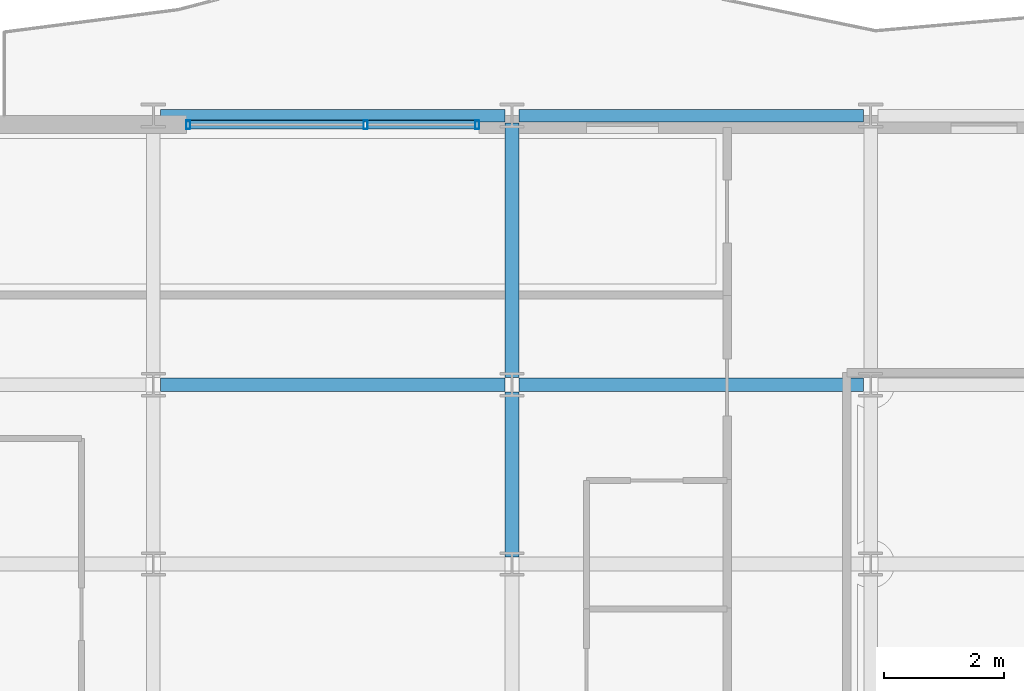
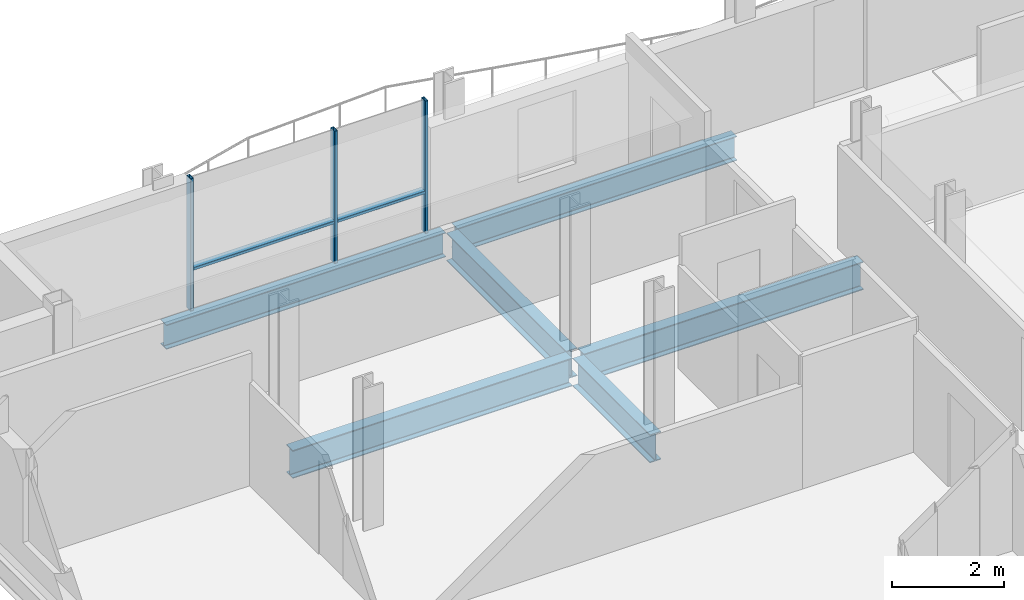
# One storey, part 9 of 38: 6 beams, 5 members, 1 element without a shape of its own.
"""IFC4 building model written with IfcOpenShell, lengths in metres."""

import ifcopenshell
import ifcopenshell.guid

model = None  # the IFC model being written
_history = None  # IfcOwnerHistory: only IFC2X3 demands one
_inside = {}  # id of a spatial element -> (the spatial element, [elements in it])
_under = {}  # id of a project, library or spatial element -> (it, [spatial elements below it])
_declared = {}  # id of a project -> (the project, [libraries it declares])
_typed = {}  # id of a type object -> (the type object, [elements of that type])
_made_of = {}  # id of a material, layer set ... -> (it, [elements and type objects made of it])


def new_model(schema):
    """Start an empty IFC model of exactly this schema.

    Asked for "IFC4X3", IfcOpenShell would pick the latest addendum, in which some entities
    have other attributes; the version numbers below select the first issue.
    IFC2X3 requires an IfcOwnerHistory on every rooted entity: one is made here for all.
    """
    global model, _history
    if schema == "IFC4X3":
        model = ifcopenshell.file(schema_version=(4, 3, 0, 0))
    else:
        model = ifcopenshell.file(schema=schema)
    _inside.clear()
    _under.clear()
    _declared.clear()
    _typed.clear()
    _made_of.clear()
    _history = None
    if model.schema == "IFC2X3":
        org = make("IfcOrganization", Name="unknown")
        user = make(
            "IfcPersonAndOrganization",
            ThePerson=make("IfcPerson", FamilyName="unknown"),
            TheOrganization=org,
        )
        app = make(
            "IfcApplication",
            ApplicationDeveloper=org,
            Version="unknown",
            ApplicationFullName="unknown",
            ApplicationIdentifier="unknown",
        )
        _history = make(
            "IfcOwnerHistory",
            OwningUser=user,
            OwningApplication=app,
            ChangeAction="ADDED",
            CreationDate=0,
        )
    return model


def make(cls, **values):
    """One entity of the class cls with the attributes given. An attribute that is None is left unset."""
    return model.create_entity(
        cls, **{name: value for name, value in values.items() if value is not None}
    )


def rooted(cls, **values):
    """An entity with a GlobalId (a new one), such as an element, a storey or a relation."""
    return make(cls, GlobalId=ifcopenshell.guid.new(), OwnerHistory=_history, **values)


def si_unit(unit_type, name, prefix=None):
    """IfcSIUnit, for example si_unit("LENGTHUNIT", "METRE", prefix="MILLI")."""
    return make("IfcSIUnit", UnitType=unit_type, Prefix=prefix, Name=name)


def assignment(units):
    """IfcUnitAssignment: the units of a project."""
    return None if units is None else make("IfcUnitAssignment", Units=units)


def point(xyz):
    """IfcCartesianPoint."""
    return None if xyz is None else make("IfcCartesianPoint", Coordinates=xyz)


def direction(xyz):
    """IfcDirection."""
    return None if xyz is None else make("IfcDirection", DirectionRatios=xyz)


def frame(location, z_axis=None, x_axis=None):
    """IfcAxis2Placement3D, a coordinate frame: its origin and axes. An axis left out is left unset."""
    return make(
        "IfcAxis2Placement3D",
        Location=point(location),
        Axis=direction(z_axis),
        RefDirection=direction(x_axis),
    )


def frame_2d(location, x_axis=None):
    """IfcAxis2Placement2D, a coordinate frame in the plane: its origin and x axis."""
    return make(
        "IfcAxis2Placement2D", Location=point(location), RefDirection=direction(x_axis)
    )


def origin():
    """The frame at (0, 0, 0) with its axes left unset."""
    return frame((0.0, 0.0, 0.0))


def origin_2d():
    """The frame at (0, 0) in the plane with its x axis left unset."""
    return frame_2d((0.0, 0.0))


def place(relative_to, where):
    """IfcLocalPlacement: puts the frame where relative to a parent placement (None: the world)."""
    return make(
        "IfcLocalPlacement", PlacementRelTo=relative_to, RelativePlacement=where
    )


def context(
    kind, dimensions, precision=None, world=None, true_north=None, identifier=None
):
    """IfcGeometricRepresentationContext, for example the 3D "Model" context."""
    return make(
        "IfcGeometricRepresentationContext",
        ContextIdentifier=identifier,
        ContextType=kind,
        CoordinateSpaceDimension=dimensions,
        Precision=precision,
        WorldCoordinateSystem=world,
        TrueNorth=true_north,
    )


def subcontext(parent, identifier, kind, view, scale=None):
    """IfcGeometricRepresentationSubContext, for example "Body" below "Model"."""
    return make(
        "IfcGeometricRepresentationSubContext",
        ContextIdentifier=identifier,
        ContextType=kind,
        ParentContext=parent,
        TargetScale=scale,
        TargetView=view,
    )


def project(units=None, contexts=None):
    """IfcProject with its units and contexts."""
    return rooted(
        "IfcProject",
        Name="project",
        RepresentationContexts=contexts,
        UnitsInContext=assignment(units),
    )


def spatial(cls, under=None, at=None, **own):
    """A site, building, storey or space (cls), placed at a placement, below another one or the project."""
    s = rooted(cls, ObjectPlacement=at, **own)
    if under is not None:
        _under.setdefault(under.id(), (under, []))[1].append(s)
    return s


def profile(cls, at=None, kind="AREA", **sizes):
    """A parametric profile (cls). Its sizes go by their IFC names, for example OverallWidth=200.0."""
    return make(cls, ProfileType=kind, Position=at, **sizes)


def hollow_rectangle(**sizes):
    """IfcRectangleHollowProfileDef."""
    return profile("IfcRectangleHollowProfileDef", **sizes)


def i_section(**sizes):
    """IfcIShapeProfileDef."""
    return profile("IfcIShapeProfileDef", **sizes)


def extrude(swept, where, along, depth):
    """IfcExtrudedAreaSolid: the profile swept, set in the frame where, extruded along a direction by depth."""
    return make(
        "IfcExtrudedAreaSolid",
        SweptArea=swept,
        Position=where,
        ExtrudedDirection=direction(along),
        Depth=depth,
    )


def shape(context_of_items, identifier, shape_type, items):
    """IfcShapeRepresentation: the items that make up one representation, for example the "Body"."""
    return make(
        "IfcShapeRepresentation",
        ContextOfItems=context_of_items,
        RepresentationIdentifier=identifier,
        RepresentationType=shape_type,
        Items=items,
    )


def material(Name=None, Category=None):
    """IfcMaterial."""
    return make("IfcMaterial", Name=Name, Category=Category)


def layer(
    of_material, thickness, ventilated=None, Name=None, Category=None, Priority=None
):
    """IfcMaterialLayer: one layer of a wall or slab, of a material (None: an air gap)."""
    return make(
        "IfcMaterialLayer",
        Material=of_material,
        LayerThickness=thickness,
        IsVentilated=ventilated,
        Name=Name,
        Category=Category,
        Priority=Priority,
    )


def layer_set(layers, Name=None):
    """IfcMaterialLayerSet."""
    return make("IfcMaterialLayerSet", MaterialLayers=layers, LayerSetName=Name)


def material_profile(
    of_material, cross_section, Name=None, Category=None, Priority=None
):
    """IfcMaterialProfile: a cross section and its material."""
    return make(
        "IfcMaterialProfile",
        Name=Name,
        Material=of_material,
        Profile=cross_section,
        Priority=Priority,
        Category=Category,
    )


def profile_set(profiles, Name=None, composite=None):
    """IfcMaterialProfileSet."""
    return make(
        "IfcMaterialProfileSet",
        Name=Name,
        MaterialProfiles=profiles,
        CompositeProfile=composite,
    )


def made_of(thing, what):
    """Note that an element or type object is made of a material, layer set ...; save() writes the relation."""
    if what is not None:
        _made_of.setdefault(what.id(), (what, []))[1].append(thing)
    return thing


def type_object(cls, material=None, **own):
    """A type object (cls), such as IfcWallType, which elements share."""
    return made_of(rooted(cls, **own), material)


def element(
    cls,
    number,
    at=None,
    inside=None,
    cuts=None,
    type_object=None,
    material=None,
    context=None,
    identifier="Body",
    shape_type=None,
    held_by="IfcProductDefinitionShape",
    body=None,
    shapes=None,
    **own,
):
    """One element of the class cls, such as IfcWall. Its Tag is "e" and its number.

    at: its placement. inside: the storey or other place that contains it. cuts: it is an
    opening in that element (IfcRelVoidsElement). A single representation is given by context,
    identifier, shape_type and body (its items); several are given by shapes. held_by: the class
    of the entity that holds the representations. save() writes the other relations.
    """
    e = rooted(cls, Tag="e%d" % number, ObjectPlacement=at, **own)
    if body is not None:
        shapes = [shape(context, identifier, shape_type, body)]
    if shapes is not None:
        e.Representation = make(held_by, Representations=shapes)
    if inside is not None:
        _inside.setdefault(inside.id(), (inside, []))[1].append(e)
    if cuts is not None:
        rooted(
            "IfcRelVoidsElement", RelatingBuildingElement=cuts, RelatedOpeningElement=e
        )
    if type_object is not None:
        _typed.setdefault(type_object.id(), (type_object, []))[1].append(e)
    return made_of(e, material)


def aggregate(whole, parts):
    """IfcRelAggregates: a whole, such as a stair, and the parts it consists of."""
    return rooted("IfcRelAggregates", RelatingObject=whole, RelatedObjects=parts)


def save(model, path):
    """Write the relations noted so far, then the file.

    IfcRelAggregates (storeys below a building ...), IfcRelContainedInSpatialStructure (elements
    in a storey), IfcRelDefinesByType, IfcRelAssociatesMaterial and IfcRelDeclares: one each for
    every whole, place, type object, material and project.
    """
    for whole, parts in _under.values():
        aggregate(whole, parts)
    for where, things in _inside.values():
        rooted(
            "IfcRelContainedInSpatialStructure",
            RelatedElements=things,
            RelatingStructure=where,
        )
    for kind, things in _typed.values():
        rooted("IfcRelDefinesByType", RelatedObjects=things, RelatingType=kind)
    for what, things in _made_of.values():
        rooted("IfcRelAssociatesMaterial", RelatedObjects=things, RelatingMaterial=what)
    for by, libraries in _declared.values():
        rooted("IfcRelDeclares", RelatingContext=by, RelatedDefinitions=libraries)
    model.write(path)


model = new_model("IFC4")

# Units and contexts
model_context = context("Model", 3, precision=1e-05, world=origin(), true_north=direction((0.0, 1.0)))
body_context = subcontext(model_context, "Body", "Model", "MODEL_VIEW")
ifc_project = project(units=[si_unit("LENGTHUNIT", "METRE"), si_unit("AREAUNIT", "SQUARE_METRE"), si_unit("VOLUMEUNIT", "CUBIC_METRE"), si_unit("PLANEANGLEUNIT", "RADIAN"), si_unit("MASSUNIT", "GRAM", prefix="KILO")], contexts=[model_context])

# Site, building, storey
site_placement = place(None, origin())
site = spatial("IfcSite", under=ifc_project, at=site_placement, CompositionType="ELEMENT")
building_placement = place(site_placement, origin())
building = spatial("IfcBuilding", under=site, at=building_placement, Name="Brevholm Reach", CompositionType="ELEMENT")
storey_placement = place(building_placement, frame((0.0, 0.0, 166.60009765625)))
storey = spatial("IfcBuildingStorey", under=building, at=storey_placement, Name="L50", CompositionType="ELEMENT", Elevation=166.60009765625)

# Beams
ifc_material_1 = material(Name="Structural Steel S355J2", Category="steel")
ifc_material_profile_1 = material_profile(ifc_material_1, i_section(OverallWidth=0.209228515625, OverallDepth=0.533203125, WebThickness=0.010009765625, FlangeThickness=0.015625, FilletRadius=0.0126953125, at=origin_2d()), Name="UKB 533x210x92")
ifc_profile_set_1 = profile_set([ifc_material_profile_1], Name="Structural Steel S355J2")
beam_type_1 = type_object("IfcBeamType", Name="BM-SP533", PredefinedType="SPANDREL", material=ifc_profile_set_1)
for number, where, z_axis, x_axis, name in (
    (1, (6.1201171875, 31.0, -0.486572265625), (1.0, 0.0, 0.0), (0.0, 1.0, 0.0), "L50 SP-02 Framing Beam"),
    (2, (12.1201171875, 31.0, -0.486572265625), (1.0, 0.0, 0.0), (0.0, 1.0, 0.0), "L50 SP-02 Framing Beam"),
):
    element("IfcBeam", number, at=place(storey_placement, frame(where, z_axis=z_axis, x_axis=x_axis)), inside=storey, type_object=beam_type_1, Name=name, PredefinedType="SPANDREL", context=body_context, shape_type="SweptSolid", body=[
        extrude(i_section(OverallWidth=0.209228515625, OverallDepth=0.533203125, WebThickness=0.010009765625, FlangeThickness=0.015625, FilletRadius=0.0126953125, at=origin_2d()), origin(), (0.0, 0.0, 1.0), 5.759765625),
    ])
ifc_material_2 = material(Name="Structural Steel S355J2", Category="steel")
ifc_material_profile_2 = material_profile(ifc_material_2, i_section(OverallWidth=0.22900390625, OverallDepth=0.6123046875, WebThickness=0.011962890625, FlangeThickness=0.01953125, FilletRadius=0.0126953125, at=origin_2d()), Name="UKB 610x229x125")
ifc_profile_set_2 = profile_set([ifc_material_profile_2], Name="Structural Steel S355J2")
beam_type_2 = type_object("IfcBeamType", Name="BM-SP610", PredefinedType="SPANDREL", material=ifc_profile_set_2)
for number, where, z_axis, x_axis, name in (
    (3, (6.1201171875, 26.5, -0.526123046875), (1.0, 0.0, 0.0), (0.0, 1.0, 0.0), "L50 SP-01 Framing Beam"),
    (4, (12.1201171875, 26.5, -0.526123046875), (1.0, 0.0, 0.0), (0.0, 1.0, 0.0), "L50 SP-01 Framing Beam"),
):
    element("IfcBeam", number, at=place(storey_placement, frame(where, z_axis=z_axis, x_axis=x_axis)), inside=storey, type_object=beam_type_2, Name=name, PredefinedType="SPANDREL", context=body_context, shape_type="SweptSolid", body=[
        extrude(i_section(OverallWidth=0.22900390625, OverallDepth=0.6123046875, WebThickness=0.011962890625, FlangeThickness=0.01953125, FilletRadius=0.0126953125, at=origin_2d()), origin(), (0.0, 0.0, 1.0), 5.759765625),
    ])
beam_1_placement = place(storey_placement, frame((12.0, 23.6201171875, -0.526123046875), z_axis=(0.0, 1.0, 0.0), x_axis=(-1.0, 0.0, 0.0)))
element("IfcBeam", 5, at=beam_1_placement, inside=storey, type_object=beam_type_2, Name="L50 SP-01 Framing Beam", PredefinedType="SPANDREL", context=body_context, shape_type="SweptSolid", body=[
    extrude(i_section(OverallWidth=0.22900390625, OverallDepth=0.6123046875, WebThickness=0.011962890625, FlangeThickness=0.01953125, FilletRadius=0.0126953125, at=origin_2d()), origin(), (0.0, 0.0, 1.0), 2.759765625),
])
beam_2_placement = place(storey_placement, frame((12.0, 26.6201171875, -0.526123046875), z_axis=(0.0, 1.0, 0.0), x_axis=(-1.0, 0.0, 0.0)))
element("IfcBeam", 6, at=beam_2_placement, inside=storey, type_object=beam_type_2, Name="L50 SP-01 Framing Beam", PredefinedType="SPANDREL", context=body_context, shape_type="SweptSolid", body=[
    extrude(i_section(OverallWidth=0.22900390625, OverallDepth=0.6123046875, WebThickness=0.011962890625, FlangeThickness=0.01953125, FilletRadius=0.0126953125, at=origin_2d()), origin(), (0.0, 0.0, 1.0), 4.259765625),
])

# Curtain wall, members
ifc_material_3 = material(Name="Dark Anodised Aluminium 6063-T6 and Solar-Control Glass", Category="aluminium")
ifc_layer = layer(ifc_material_3, 0.14990234375)
ifc_layer_set = layer_set([ifc_layer], Name="Dark Anodised Aluminium 6063-T6 and Solar-Control Glass")
curtain_wall_type = type_object("IfcCurtainWallType", Name="CW-01", PredefinedType="NOTDEFINED", material=ifc_layer_set)
curtain_wall_placement = place(storey_placement, origin())
curtain_wall = element("IfcCurtainWall", 7, at=curtain_wall_placement, inside=storey, type_object=curtain_wall_type, Name="L50 Curtain Wall CW-01", PredefinedType="NOTDEFINED")
ifc_material_4 = material(Name="Dark Anodised Aluminium 6063-T6", Category="aluminium")
ifc_material_profile_3 = material_profile(ifc_material_4, hollow_rectangle(XDim=0.06494140625, YDim=0.14990234375, WallThickness=0.0048828125, InnerFilletRadius=0.0048828125, OuterFilletRadius=0.010009765625, at=origin_2d()), Name="RHS 150x65x5")
ifc_profile_set_3 = profile_set([ifc_material_profile_3], Name="Dark Anodised Aluminium 6063-T6")
member_type_1 = type_object("IfcMemberType", Name="CWM-150", PredefinedType="MULLION", material=ifc_profile_set_3)
member_1_placement = place(storey_placement, frame((6.58251953125, 30.85009765625, 0.0), z_axis=(0.0, 0.0, 1.0), x_axis=(1.0, 0.0, 0.0)))
member_1 = element("IfcMember", 8, at=member_1_placement, type_object=member_type_1, Name="CM-150 Mullion 1", PredefinedType="MULLION", context=body_context, shape_type="SweptSolid", body=[
    extrude(hollow_rectangle(XDim=0.06494140625, YDim=0.14990234375, WallThickness=0.0048828125, InnerFilletRadius=0.0048828125, OuterFilletRadius=0.010009765625, at=origin_2d()), origin(), (0.0, 0.0, 1.0), 2.8798828125),
])
member_2_placement = place(storey_placement, frame((9.550048828125, 30.85009765625, 0.0), z_axis=(0.0, 0.0, 1.0), x_axis=(1.0, 0.0, 0.0)))
member_2 = element("IfcMember", 9, at=member_2_placement, type_object=member_type_1, Name="CM-150 Mullion 2", PredefinedType="MULLION", context=body_context, shape_type="SweptSolid", body=[
    extrude(hollow_rectangle(XDim=0.06494140625, YDim=0.14990234375, WallThickness=0.0048828125, InnerFilletRadius=0.0048828125, OuterFilletRadius=0.010009765625, at=origin_2d()), origin(), (0.0, 0.0, 1.0), 2.8798828125),
])
member_3_placement = place(storey_placement, frame((11.41748046875, 30.85009765625, 0.0), z_axis=(0.0, 0.0, 1.0), x_axis=(1.0, 0.0, 0.0)))
member_3 = element("IfcMember", 10, at=member_3_placement, type_object=member_type_1, Name="CM-150 Mullion 3", PredefinedType="MULLION", context=body_context, shape_type="SweptSolid", body=[
    extrude(hollow_rectangle(XDim=0.06494140625, YDim=0.14990234375, WallThickness=0.0048828125, InnerFilletRadius=0.0048828125, OuterFilletRadius=0.010009765625, at=origin_2d()), origin(), (0.0, 0.0, 1.0), 2.8798828125),
])
ifc_material_5 = material(Name="Dark Anodised Aluminium 6063-T6", Category="aluminium")
ifc_material_profile_4 = material_profile(ifc_material_5, hollow_rectangle(XDim=0.06494140625, YDim=0.14990234375, WallThickness=0.0048828125, InnerFilletRadius=0.0048828125, OuterFilletRadius=0.010009765625, at=origin_2d()), Name="RHS 150x65x5")
ifc_profile_set_4 = profile_set([ifc_material_profile_4], Name="Dark Anodised Aluminium 6063-T6")
member_type_2 = type_object("IfcMemberType", Name="CWT-150", PredefinedType="NOTDEFINED", material=ifc_profile_set_4)
member_4_placement = place(storey_placement, frame((6.614990234375, 30.85009765625, 0.89990234375), z_axis=(1.0, 0.0, 0.0), x_axis=(0.0, 0.0, 1.0)))
member_4 = element("IfcMember", 11, at=member_4_placement, type_object=member_type_2, Name="CT-150 Transom 1.1", ObjectType="TRANSOM", PredefinedType="USERDEFINED", context=body_context, shape_type="SweptSolid", body=[
    extrude(hollow_rectangle(XDim=0.06494140625, YDim=0.14990234375, WallThickness=0.0048828125, InnerFilletRadius=0.0048828125, OuterFilletRadius=0.010009765625, at=origin_2d()), origin(), (0.0, 0.0, 1.0), 2.902587890625),
])
member_5_placement = place(storey_placement, frame((9.58251953125, 30.85009765625, 0.89990234375), z_axis=(1.0, 0.0, 0.0), x_axis=(0.0, 0.0, 1.0)))
member_5 = element("IfcMember", 12, at=member_5_placement, type_object=member_type_2, Name="CT-150 Transom 2.1", ObjectType="TRANSOM", PredefinedType="USERDEFINED", context=body_context, shape_type="SweptSolid", body=[
    extrude(hollow_rectangle(XDim=0.06494140625, YDim=0.14990234375, WallThickness=0.0048828125, InnerFilletRadius=0.0048828125, OuterFilletRadius=0.010009765625, at=origin_2d()), origin(), (0.0, 0.0, 1.0), 1.802490234375),
])
aggregate(curtain_wall, [member_1, member_2, member_3, member_4, member_5])

save(model, "model.ifc")
